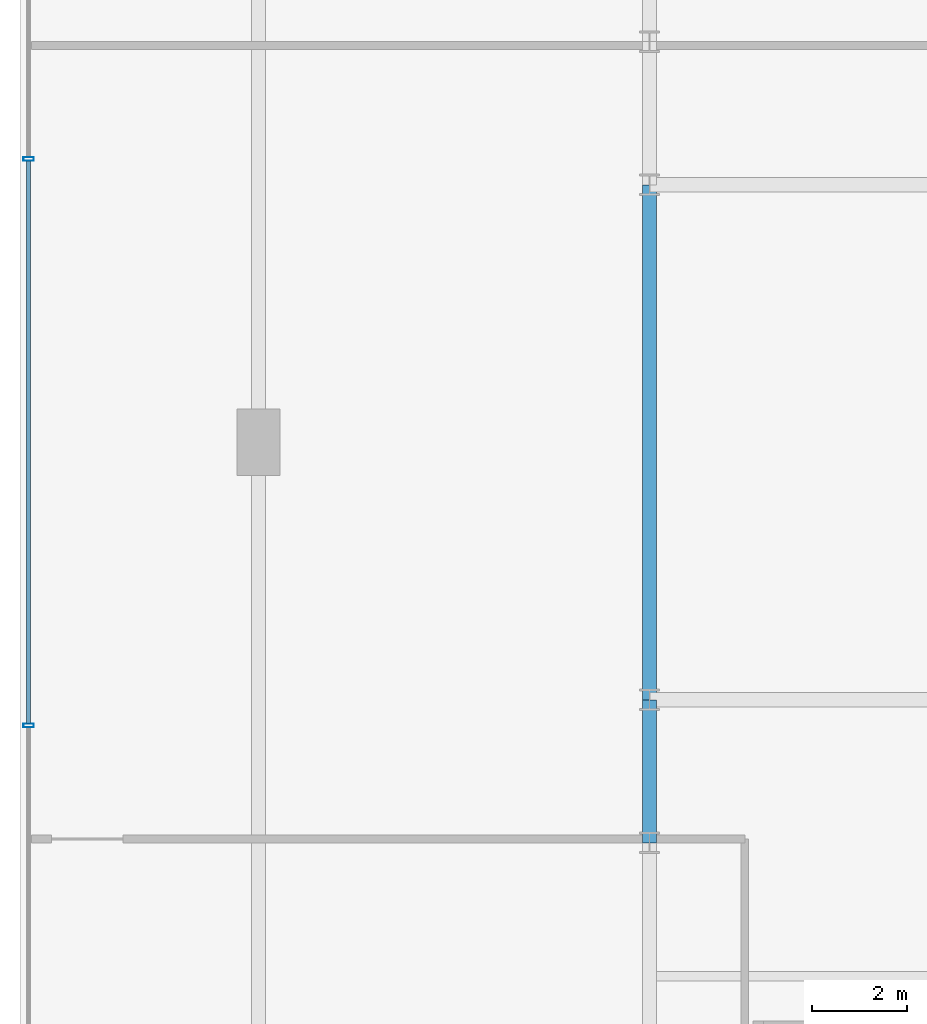
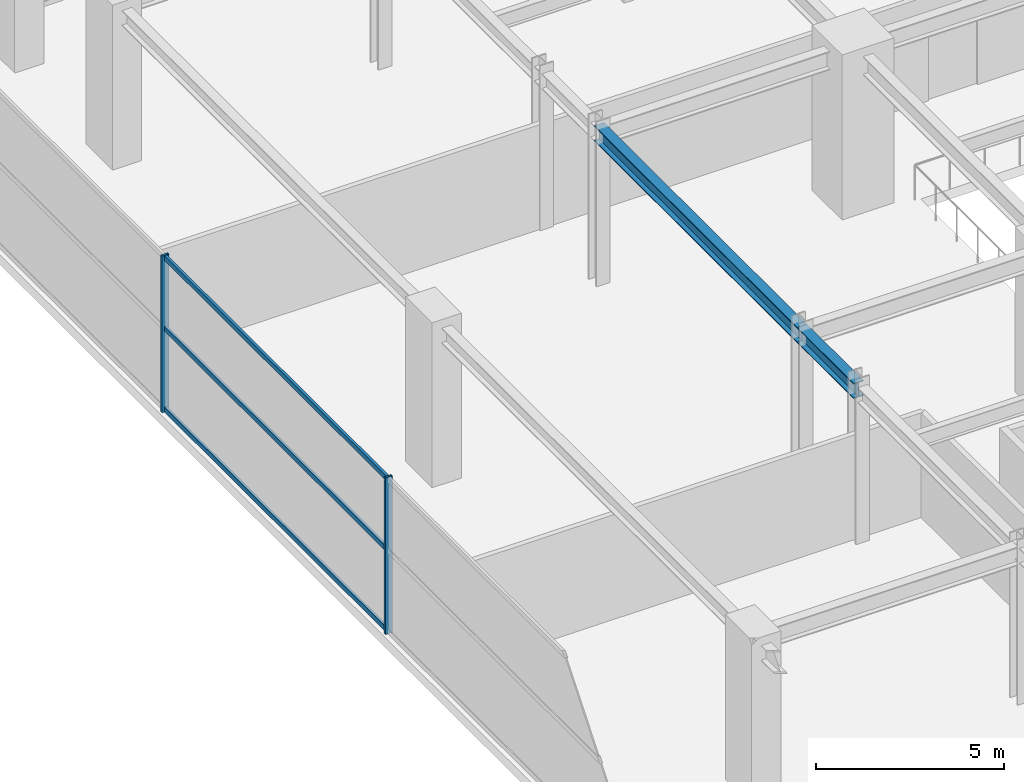
# One storey, part 8 of 32: 5 members, 2 beams, 1 element without a shape of its own.
"""IFC4 building model written with IfcOpenShell, lengths in metres."""

from ifc_helpers import new_model, si_unit, direction, frame, origin, origin_2d, place, context, subcontext, project, spatial, hollow_rectangle, i_section, extrude, source, transform, mapped, material, material_profile, profile_set, type_object, element, aggregate, save


model = new_model("IFC4")

# Units and contexts
model_context = context("Model", 3, precision=1e-05, world=origin(), true_north=direction((0.0, 1.0)))
body_context = subcontext(model_context, "Body", "Model", "MODEL_VIEW")
ifc_project = project(units=[si_unit("LENGTHUNIT", "METRE"), si_unit("AREAUNIT", "SQUARE_METRE"), si_unit("VOLUMEUNIT", "CUBIC_METRE"), si_unit("PLANEANGLEUNIT", "RADIAN"), si_unit("MASSUNIT", "GRAM", prefix="KILO")], contexts=[model_context])

# Site, building, storey
site_placement = place(None, origin())
site = spatial("IfcSite", under=ifc_project, at=site_placement, CompositionType="ELEMENT")
building_placement = place(site_placement, origin())
building = spatial("IfcBuilding", under=site, at=building_placement, Name="Nahalor Promenade Grand Hotel", CompositionType="ELEMENT")
storey_placement = place(building_placement, frame((0.0, 0.0, 5.39990234375)))
storey = spatial("IfcBuildingStorey", under=building, at=storey_placement, Name="L01", CompositionType="ELEMENT", Elevation=5.39990234375)

# Beams
ifc_material_1 = material(Name="Steel S355JR", Category="steel")
ifc_material_profile_1 = material_profile(ifc_material_1, i_section(OverallWidth=0.3, OverallDepth=0.5, WebThickness=0.0145, FlangeThickness=0.028, at=origin_2d()), Name="HEB 500")
ifc_profile_set_1 = profile_set([ifc_material_profile_1], Name="Steel S355JR")
beam_type = type_object("IfcBeamType", Name="Beam-Spandrel-HEB500", PredefinedType="SPANDREL", material=ifc_profile_set_1)
shared_shape_1 = source(origin(), body_context, "Body", "SweptSolid", [
    extrude(i_section(OverallWidth=0.3, OverallDepth=0.5, WebThickness=0.0145, FlangeThickness=0.028, at=origin_2d()), origin(), (0.0, 0.0, 1.0), 3.0),
])
beam_1_placement = place(storey_placement, frame((-24.800048828125, -8.39990234375, 4.830078125), z_axis=(0.0, 1.0, 0.0), x_axis=(-1.0, 0.0, 0.0)))
element("IfcBeam", 1, at=beam_1_placement, inside=storey, type_object=beam_type, Name="BM-L01-SP-W-1", PredefinedType="SPANDREL", context=body_context, shape_type="MappedRepresentation", body=[
    mapped(shared_shape_1, transform((0.0, 0.0, 0.0), scale=1.0)),
])
shared_shape_2 = source(origin(), body_context, "Body", "SweptSolid", [
    extrude(i_section(OverallWidth=0.3, OverallDepth=0.5, WebThickness=0.0145, FlangeThickness=0.028, at=origin_2d()), origin(), (0.0, 0.0, 1.0), 10.7998046875),
])
beam_2_placement = place(storey_placement, frame((-24.800048828125, -5.39990234375, 4.830078125), z_axis=(0.0, 1.0, 0.0), x_axis=(-1.0, 0.0, 0.0)))
element("IfcBeam", 2, at=beam_2_placement, inside=storey, type_object=beam_type, Name="BM-L01-SP-W-2", PredefinedType="SPANDREL", context=body_context, shape_type="MappedRepresentation", body=[
    mapped(shared_shape_2, transform((0.0, 0.0, 0.0), scale=1.0)),
])

# Curtain wall, members
ifc_material_2 = material(Name="Anodised Bronze Aluminium EN AW-6063 T6", Category="aluminium")
curtain_wall_type = type_object("IfcCurtainWallType", Name="CW1 Waterfront Podium Bronze Arcade Curtain Wall", PredefinedType="USERDEFINED", material=ifc_material_2)
curtain_wall_placement = place(storey_placement, origin())
curtain_wall = element("IfcCurtainWall", 3, at=curtain_wall_placement, inside=storey, type_object=curtain_wall_type, Name="L01 Curtain Wall CW-L01-W", ObjectType="UNITISED_CURTAIN_WALL", PredefinedType="USERDEFINED")
ifc_material_profile_2 = material_profile(ifc_material_2, hollow_rectangle(XDim=0.08, YDim=0.22, WallThickness=0.005, at=origin_2d()), Name="CWM 80x220x5")
ifc_profile_set_2 = profile_set([ifc_material_profile_2], Name="Anodised Bronze Aluminium EN AW-6063 T6")
member_type_1 = type_object("IfcMemberType", Name="CWM1 Podium Bronze Mullion 80x220", PredefinedType="MULLION", material=ifc_profile_set_2)
shared_shape_3 = source(origin(), body_context, "Body", "SweptSolid", [
    extrude(hollow_rectangle(XDim=0.08, YDim=0.22, WallThickness=0.005, at=origin_2d()), origin(), (0.0, 0.0, 1.0), 5.080078125),
])
member_1_placement = place(storey_placement, frame((-37.820068359375, -5.93994140625, 0.0), z_axis=(0.0, 0.0, 1.0), x_axis=(0.0, 1.0, 0.0)))
member_1 = element("IfcMember", 4, at=member_1_placement, type_object=member_type_1, Name="CW-L01-W Mullion 1", PredefinedType="MULLION", context=body_context, shape_type="MappedRepresentation", body=[
    mapped(shared_shape_3, transform((0.0, 0.0, 0.0), scale=1.0)),
])
member_2_placement = place(storey_placement, frame((-37.820068359375, 5.93994140625, 0.0), z_axis=(0.0, 0.0, 1.0), x_axis=(0.0, 1.0, 0.0)))
member_2 = element("IfcMember", 5, at=member_2_placement, type_object=member_type_1, Name="CW-L01-W Mullion 2", PredefinedType="MULLION", context=body_context, shape_type="MappedRepresentation", body=[
    mapped(shared_shape_3, transform((0.0, 0.0, 0.0), scale=1.0)),
])
ifc_material_profile_3 = material_profile(ifc_material_2, hollow_rectangle(XDim=0.08, YDim=0.16, WallThickness=0.004, at=origin_2d()), Name="CWT 80x160x4")
ifc_profile_set_3 = profile_set([ifc_material_profile_3], Name="Anodised Bronze Aluminium EN AW-6063 T6")
member_type_2 = type_object("IfcMemberType", Name="CWT1 Podium Bronze Transom 80x160", PredefinedType="USERDEFINED", material=ifc_profile_set_3)
shared_shape_4 = source(origin(), body_context, "Body", "SweptSolid", [
    extrude(hollow_rectangle(XDim=0.08, YDim=0.16, WallThickness=0.004, at=origin_2d()), origin(), (0.0, 0.0, 1.0), 11.7998046875),
])
member_3_placement = place(storey_placement, frame((-37.820068359375, -5.89990234375, 0.080078125), z_axis=(0.0, 1.0, 0.0), x_axis=(-1.0, 0.0, 0.0)))
member_3 = element("IfcMember", 6, at=member_3_placement, type_object=member_type_2, Name="CW-L01-W Transom 1-0", ObjectType="TRANSOM", PredefinedType="USERDEFINED", context=body_context, shape_type="MappedRepresentation", body=[
    mapped(shared_shape_4, transform((0.0, 0.0, 0.0), scale=1.0)),
])
member_4_placement = place(storey_placement, frame((-37.820068359375, -5.89990234375, 2.7001953125), z_axis=(0.0, 1.0, 0.0), x_axis=(-1.0, 0.0, 0.0)))
member_4 = element("IfcMember", 7, at=member_4_placement, type_object=member_type_2, Name="CW-L01-W Transom 1-1", ObjectType="TRANSOM", PredefinedType="USERDEFINED", context=body_context, shape_type="MappedRepresentation", body=[
    mapped(shared_shape_4, transform((0.0, 0.0, 0.0), scale=1.0)),
])
member_5_placement = place(storey_placement, frame((-37.820068359375, -5.89990234375, 5.0), z_axis=(0.0, 1.0, 0.0), x_axis=(-1.0, 0.0, 0.0)))
member_5 = element("IfcMember", 8, at=member_5_placement, type_object=member_type_2, Name="CW-L01-W Transom 1-2", ObjectType="TRANSOM", PredefinedType="USERDEFINED", context=body_context, shape_type="MappedRepresentation", body=[
    mapped(shared_shape_4, transform((0.0, 0.0, 0.0), scale=1.0)),
])
aggregate(curtain_wall, [member_1, member_2, member_3, member_4, member_5])

save(model, "model.ifc")
